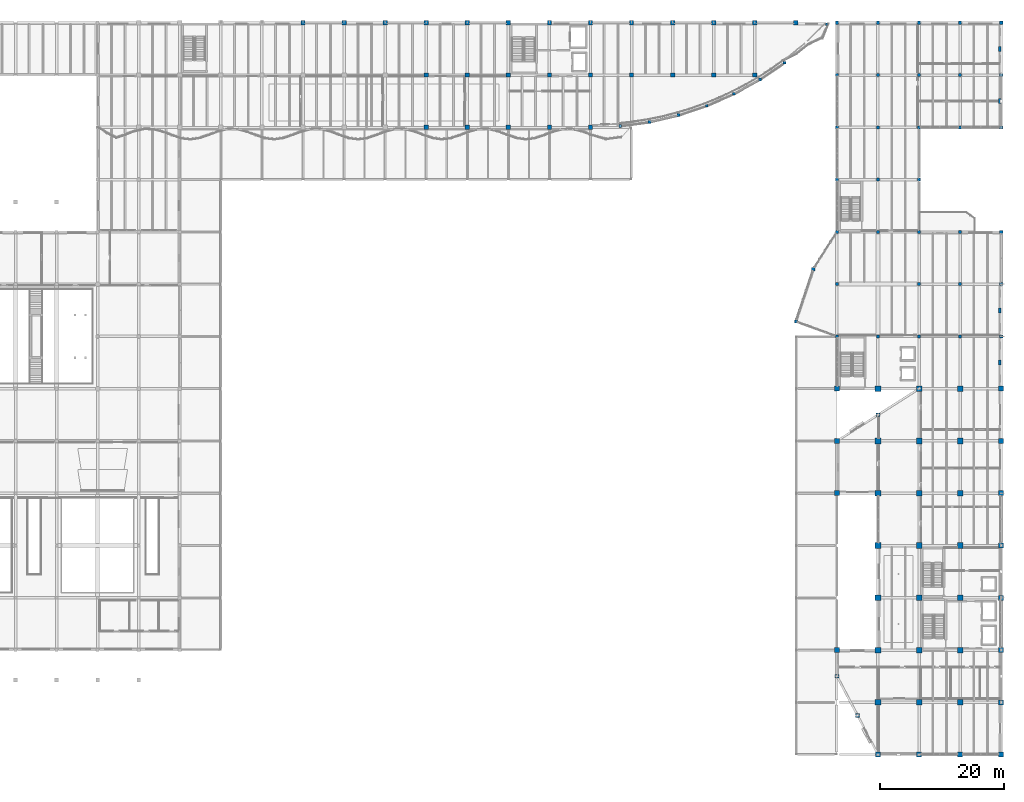
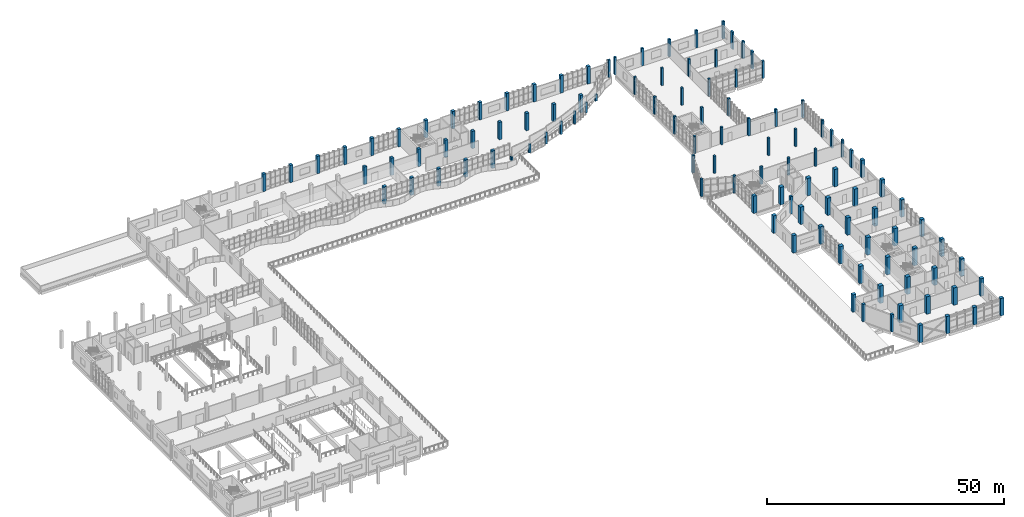
# One storey, part 2 of 83: 112 columns.
"""IFC4 building model written with IfcOpenShell, lengths in metres."""

from ifc_helpers import new_model, si_unit, direction, frame, origin, origin_2d, place, context, subcontext, project, spatial, rectangle, extrude, material, material_profile, profile_set, type_object, element, save


model = new_model("IFC4")

# Units and contexts
model_context = context("Model", 3, precision=1e-05, world=origin(), true_north=direction((0.0, 1.0)))
body_context = subcontext(model_context, "Body", "Model", "MODEL_VIEW")
ifc_project = project(units=[si_unit("LENGTHUNIT", "METRE"), si_unit("AREAUNIT", "SQUARE_METRE"), si_unit("VOLUMEUNIT", "CUBIC_METRE"), si_unit("PLANEANGLEUNIT", "RADIAN"), si_unit("MASSUNIT", "GRAM", prefix="KILO")], contexts=[model_context])

# Site, building, storey
site_placement = place(None, origin())
site = spatial("IfcSite", under=ifc_project, at=site_placement, CompositionType="ELEMENT")
building_placement = place(site_placement, origin())
building = spatial("IfcBuilding", under=site, at=building_placement, Name="Qaldarim Faculty of Natural and Applied Sciences", CompositionType="ELEMENT")
storey_placement = place(building_placement, frame((0.0, 0.0, 5.39990234375)))
storey = spatial("IfcBuildingStorey", under=building, at=storey_placement, Name="L01", CompositionType="ELEMENT", Elevation=5.39990234375)

# Columns
ifc_material_1 = material(Name="Concrete C40/50", Category="concrete")
ifc_material_profile_1 = material_profile(ifc_material_1, rectangle(XDim=0.449951171875, YDim=0.449951171875, at=origin_2d()), Name="RC-C450x450")
ifc_profile_set_1 = profile_set([ifc_material_profile_1], Name="Concrete C40/50")
column_type_1 = type_object("IfcColumnType", Name="Column-RC450x450", PredefinedType="COLUMN", material=ifc_profile_set_1)
column_1_placement = place(storey_placement, frame((150.14990234375, 117.375, 0.0), z_axis=(0.0, 0.0, 1.0), x_axis=(1.0, 0.0, 0.0)))
element("IfcColumn", 1, at=column_1_placement, inside=storey, type_object=column_type_1, Name="Special structural column V4-NE L01", PredefinedType="COLUMN", context=body_context, shape_type="SweptSolid", body=[
    extrude(rectangle(XDim=0.449951171875, YDim=0.449951171875, at=origin_2d()), origin(), (0.0, 0.0, 1.0), 4.5),
])
column_2_placement = place(storey_placement, frame((116.97509765625, 101.02001953125, 0.0), z_axis=(0.0, 0.0, 1.0), x_axis=(1.0, 0.0, 0.0)))
element("IfcColumn", 2, at=column_2_placement, inside=storey, type_object=column_type_1, Name="Arched portal upper column 02", PredefinedType="COLUMN", context=body_context, shape_type="SweptSolid", body=[
    extrude(rectangle(XDim=0.449951171875, YDim=0.449951171875, at=origin_2d()), origin(), (0.0, 0.0, 1.0), 1.025146484375),
])
column_3_placement = place(storey_placement, frame((121.705078125, 101.675048828125, 0.0), z_axis=(0.0, 0.0, 1.0), x_axis=(1.0, 0.0, 0.0)))
element("IfcColumn", 3, at=column_3_placement, inside=storey, type_object=column_type_1, Name="Arched portal upper column 04", PredefinedType="COLUMN", context=body_context, shape_type="SweptSolid", body=[
    extrude(rectangle(XDim=0.449951171875, YDim=0.449951171875, at=origin_2d()), origin(), (0.0, 0.0, 1.0), 2.260009765625),
])
column_4_placement = place(storey_placement, frame((126.360107421875, 102.764892578125, 0.0), z_axis=(0.0, 0.0, 1.0), x_axis=(1.0, 0.0, 0.0)))
element("IfcColumn", 4, at=column_4_placement, inside=storey, type_object=column_type_1, Name="Arched portal upper column 06", PredefinedType="COLUMN", context=body_context, shape_type="SweptSolid", body=[
    extrude(rectangle(XDim=0.449951171875, YDim=0.449951171875, at=origin_2d()), origin(), (0.0, 0.0, 1.0), 3.050048828125),
])
column_5_placement = place(storey_placement, frame((130.889892578125, 104.27490234375, 0.0), z_axis=(0.0, 0.0, 1.0), x_axis=(1.0, 0.0, 0.0)))
element("IfcColumn", 5, at=column_5_placement, inside=storey, type_object=column_type_1, Name="Arched portal upper column 08", PredefinedType="COLUMN", context=body_context, shape_type="SweptSolid", body=[
    extrude(rectangle(XDim=0.449951171875, YDim=0.449951171875, at=origin_2d()), origin(), (0.0, 0.0, 1.0), 3.385009765625),
])
column_6_placement = place(storey_placement, frame((135.264892578125, 106.195068359375, 0.0), z_axis=(0.0, 0.0, 1.0), x_axis=(1.0, 0.0, 0.0)))
element("IfcColumn", 6, at=column_6_placement, inside=storey, type_object=column_type_1, Name="Arched portal upper column 10", PredefinedType="COLUMN", context=body_context, shape_type="SweptSolid", body=[
    extrude(rectangle(XDim=0.449951171875, YDim=0.449951171875, at=origin_2d()), origin(), (0.0, 0.0, 1.0), 3.275146484375),
])
column_7_placement = place(storey_placement, frame((139.445068359375, 108.510009765625, 0.0), z_axis=(0.0, 0.0, 1.0), x_axis=(1.0, 0.0, 0.0)))
element("IfcColumn", 7, at=column_7_placement, inside=storey, type_object=column_type_1, Name="Arched portal upper column 12", PredefinedType="COLUMN", context=body_context, shape_type="SweptSolid", body=[
    extrude(rectangle(XDim=0.449951171875, YDim=0.449951171875, at=origin_2d()), origin(), (0.0, 0.0, 1.0), 2.710205078125),
])
column_8_placement = place(storey_placement, frame((143.39501953125, 111.195068359375, 0.0), z_axis=(0.0, 0.0, 1.0), x_axis=(1.0, 0.0, 0.0)))
element("IfcColumn", 8, at=column_8_placement, inside=storey, type_object=column_type_1, Name="Arched portal upper column 14", PredefinedType="COLUMN", context=body_context, shape_type="SweptSolid", body=[
    extrude(rectangle(XDim=0.449951171875, YDim=0.449951171875, at=origin_2d()), origin(), (0.0, 0.0, 1.0), 1.7001953125),
])
ifc_material_2 = material(Name="Concrete C50/60", Category="concrete")
ifc_material_profile_2 = material_profile(ifc_material_2, rectangle(XDim=0.5, YDim=0.5, at=origin_2d()), Name="RC-C500x500")
ifc_profile_set_2 = profile_set([ifc_material_profile_2], Name="Concrete C50/60")
column_type_2 = type_object("IfcColumnType", Name="Column-RC500x500", PredefinedType="COLUMN", material=ifc_profile_set_2)
for number, where, z_axis, x_axis, name in (
    (9, (151.800048828125, 67.199951171875, 0.0), (0.0, 0.0, 1.0), (1.0, 0.0, 0.0), "Column X24/Y09 L01"),
    (10, (151.800048828125, 75.60009765625, 0.0), (0.0, 0.0, 1.0), (1.0, 0.0, 0.0), "Column X24/Y10 L01"),
    (11, (151.800048828125, 84.0, 0.0), (0.0, 0.0, 1.0), (1.0, 0.0, 0.0), "Column X24/Y11 L01"),
    (12, (151.800048828125, 92.39990234375, 0.0), (0.0, 0.0, 1.0), (1.0, 0.0, 0.0), "Column X24/Y12 L01"),
    (13, (151.800048828125, 100.800048828125, 0.0), (0.0, 0.0, 1.0), (1.0, 0.0, 0.0), "Column X24/Y13 L01"),
    (14, (151.800048828125, 109.199951171875, 0.0), (0.0, 0.0, 1.0), (1.0, 0.0, 0.0), "Column X24/Y14 L01"),
    (15, (151.800048828125, 117.60009765625, 0.0), (0.0, 0.0, 1.0), (1.0, 0.0, 0.0), "Column X24/Y15 L01"),
    (16, (158.39990234375, 67.199951171875, 0.0), (0.0, 0.0, 1.0), (1.0, 0.0, 0.0), "Column X25/Y09 L01"),
    (17, (158.39990234375, 84.0, 0.0), (0.0, 0.0, 1.0), (1.0, 0.0, 0.0), "Column X25/Y11 L01"),
    (18, (158.39990234375, 92.39990234375, 0.0), (0.0, 0.0, 1.0), (1.0, 0.0, 0.0), "Column X25/Y12 L01"),
    (19, (158.39990234375, 100.800048828125, 0.0), (0.0, 0.0, 1.0), (1.0, 0.0, 0.0), "Column X25/Y13 L01"),
    (20, (158.39990234375, 109.199951171875, 0.0), (0.0, 0.0, 1.0), (1.0, 0.0, 0.0), "Column X25/Y14 L01"),
    (21, (158.39990234375, 117.60009765625, 0.0), (0.0, 0.0, 1.0), (1.0, 0.0, 0.0), "Column X25/Y15 L01"),
    (22, (165.0, 67.199951171875, 0.0), (0.0, 0.0, 1.0), (1.0, 0.0, 0.0), "Column X26/Y09 L01"),
    (23, (165.0, 75.60009765625, 0.0), (0.0, 0.0, 1.0), (1.0, 0.0, 0.0), "Column X26/Y10 L01"),
    (24, (165.0, 84.0, 0.0), (0.0, 0.0, 1.0), (1.0, 0.0, 0.0), "Column X26/Y11 L01"),
    (25, (165.0, 92.39990234375, 0.0), (0.0, 0.0, 1.0), (1.0, 0.0, 0.0), "Column X26/Y12 L01"),
    (26, (165.0, 100.800048828125, 0.0), (0.0, 0.0, 1.0), (1.0, 0.0, 0.0), "Column X26/Y13 L01"),
    (27, (165.0, 109.199951171875, 0.0), (0.0, 0.0, 1.0), (1.0, 0.0, 0.0), "Column X26/Y14 L01"),
    (28, (165.0, 117.60009765625, 0.0), (0.0, 0.0, 1.0), (1.0, 0.0, 0.0), "Column X26/Y15 L01"),
    (29, (171.60009765625, 67.199951171875, 0.0), (0.0, 0.0, 1.0), (1.0, 0.0, 0.0), "Column X27/Y09 L01"),
    (30, (171.60009765625, 75.60009765625, 0.0), (0.0, 0.0, 1.0), (1.0, 0.0, 0.0), "Column X27/Y10 L01"),
    (31, (171.60009765625, 84.0, 0.0), (0.0, 0.0, 1.0), (1.0, 0.0, 0.0), "Column X27/Y11 L01"),
    (32, (171.60009765625, 100.800048828125, 0.0), (0.0, 0.0, 1.0), (1.0, 0.0, 0.0), "Column X27/Y13 L01"),
    (33, (171.60009765625, 109.199951171875, 0.0), (0.0, 0.0, 1.0), (1.0, 0.0, 0.0), "Column X27/Y14 L01"),
    (34, (171.60009765625, 117.60009765625, 0.0), (0.0, 0.0, 1.0), (1.0, 0.0, 0.0), "Column X27/Y15 L01"),
    (35, (178.199951171875, 67.199951171875, 0.0), (0.0, 0.0, 1.0), (1.0, 0.0, 0.0), "Column X28/Y09 L01"),
    (36, (178.199951171875, 75.60009765625, 0.0), (0.0, 0.0, 1.0), (1.0, 0.0, 0.0), "Column X28/Y10 L01"),
    (37, (178.199951171875, 84.0, 0.0), (0.0, 0.0, 1.0), (1.0, 0.0, 0.0), "Column X28/Y11 L01"),
    (38, (178.199951171875, 100.800048828125, 0.0), (0.0, 0.0, 1.0), (1.0, 0.0, 0.0), "Column X28/Y13 L01"),
    (39, (178.199951171875, 109.199951171875, 0.0), (0.0, 0.0, 1.0), (1.0, 0.0, 0.0), "Column X28/Y14 L01"),
    (40, (178.199951171875, 117.60009765625, 0.0), (0.0, 0.0, 1.0), (1.0, 0.0, 0.0), "Column X28/Y15 L01"),
    (41, (145.199951171875, 69.60009765625, 0.0), (0.0, 0.0, 1.0), (1.0, 0.0, 0.0), "Special structural column V3-PRW-S L01"),
    (42, (148.0, 78.0, 0.0), (0.0, 0.0, 1.0), (1.0, 0.0, 0.0), "Special structural column V3-PRW-N L01"),
):
    element("IfcColumn", number, at=place(storey_placement, frame(where, z_axis=z_axis, x_axis=x_axis)), inside=storey, type_object=column_type_2, Name=name, PredefinedType="COLUMN", context=body_context, shape_type="SweptSolid", body=[
        extrude(rectangle(XDim=0.5, YDim=0.5, at=origin_2d()), origin(), (0.0, 0.0, 1.0), 4.5),
    ])
ifc_material_profile_3 = material_profile(ifc_material_2, rectangle(XDim=0.60009765625, YDim=0.60009765625, at=origin_2d()), Name="RC-C600x600")
ifc_profile_set_3 = profile_set([ifc_material_profile_3], Name="Concrete C50/60")
column_type_3 = type_object("IfcColumnType", Name="Column-RC600x600", PredefinedType="COLUMN", material=ifc_profile_set_3)
for number, where, z_axis, x_axis, name in (
    (43, (151.800048828125, 12.60009765625, 0.0), (0.0, 0.0, 1.0), (1.0, 0.0, 0.0), "Special structural column V5-SW1 L01"),
    (44, (155.10009765625, 6.300048828125, 0.0), (0.0, 0.0, 1.0), (1.0, 0.0, 0.0), "Special structural column V5-SW2 L01"),
    (45, (158.39990234375, 54.60009765625, 0.0), (0.0, 0.0, 1.0), (1.0, 0.0, 0.0), "Special structural column V5-NW6 L01"),
):
    element("IfcColumn", number, at=place(storey_placement, frame(where, z_axis=z_axis, x_axis=x_axis)), inside=storey, type_object=column_type_3, Name=name, PredefinedType="COLUMN", context=body_context, shape_type="SweptSolid", body=[
        extrude(rectangle(XDim=0.60009765625, YDim=0.60009765625, at=origin_2d()), origin(), (0.0, 0.0, 1.0), 4.5),
    ])
ifc_material_profile_4 = material_profile(ifc_material_2, rectangle(XDim=0.699951171875, YDim=0.699951171875, at=origin_2d()), Name="RC-C700x700")
ifc_profile_set_4 = profile_set([ifc_material_profile_4], Name="Concrete C50/60")
column_type_4 = type_object("IfcColumnType", Name="Column-RC700x700", PredefinedType="COLUMN", material=ifc_profile_set_4)
for number, where, z_axis, x_axis, name in (
    (46, (66.0, 117.60009765625, 0.0), (0.0, 0.0, 1.0), (1.0, 0.0, 0.0), "Column X11/Y15 L01"),
    (47, (72.60009765625, 117.60009765625, 0.0), (0.0, 0.0, 1.0), (1.0, 0.0, 0.0), "Column X12/Y15 L01"),
    (48, (79.199951171875, 117.60009765625, 0.0), (0.0, 0.0, 1.0), (1.0, 0.0, 0.0), "Column X13/Y15 L01"),
    (49, (85.800048828125, 100.800048828125, 0.0), (0.0, 0.0, 1.0), (1.0, 0.0, 0.0), "Column X14/Y13 L01"),
    (50, (85.800048828125, 109.199951171875, 0.0), (0.0, 0.0, 1.0), (1.0, 0.0, 0.0), "Column X14/Y14 L01"),
    (51, (85.800048828125, 117.60009765625, 0.0), (0.0, 0.0, 1.0), (1.0, 0.0, 0.0), "Column X14/Y15 L01"),
    (52, (92.39990234375, 100.800048828125, 0.0), (0.0, 0.0, 1.0), (1.0, 0.0, 0.0), "Column X15/Y13 L01"),
    (53, (92.39990234375, 109.199951171875, 0.0), (0.0, 0.0, 1.0), (1.0, 0.0, 0.0), "Column X15/Y14 L01"),
    (54, (92.39990234375, 117.60009765625, 0.0), (0.0, 0.0, 1.0), (1.0, 0.0, 0.0), "Column X15/Y15 L01"),
    (55, (99.0, 100.800048828125, 0.0), (0.0, 0.0, 1.0), (1.0, 0.0, 0.0), "Column X16/Y13 L01"),
    (56, (99.0, 109.199951171875, 0.0), (0.0, 0.0, 1.0), (1.0, 0.0, 0.0), "Column X16/Y14 L01"),
    (57, (99.0, 117.60009765625, 0.0), (0.0, 0.0, 1.0), (1.0, 0.0, 0.0), "Column X16/Y15 L01"),
    (58, (105.60009765625, 100.800048828125, 0.0), (0.0, 0.0, 1.0), (1.0, 0.0, 0.0), "Column X17/Y13 L01"),
    (59, (105.60009765625, 109.199951171875, 0.0), (0.0, 0.0, 1.0), (1.0, 0.0, 0.0), "Column X17/Y14 L01"),
    (60, (105.60009765625, 117.60009765625, 0.0), (0.0, 0.0, 1.0), (1.0, 0.0, 0.0), "Column X17/Y15 L01"),
    (61, (112.199951171875, 100.800048828125, 0.0), (0.0, 0.0, 1.0), (1.0, 0.0, 0.0), "Column X18/Y13 L01"),
    (62, (112.199951171875, 109.199951171875, 0.0), (0.0, 0.0, 1.0), (1.0, 0.0, 0.0), "Column X18/Y14 L01"),
    (63, (112.199951171875, 117.60009765625, 0.0), (0.0, 0.0, 1.0), (1.0, 0.0, 0.0), "Column X18/Y15 L01"),
    (64, (118.800048828125, 109.199951171875, 0.0), (0.0, 0.0, 1.0), (1.0, 0.0, 0.0), "Column X19/Y14 L01"),
    (65, (118.800048828125, 117.60009765625, 0.0), (0.0, 0.0, 1.0), (1.0, 0.0, 0.0), "Column X19/Y15 L01"),
    (66, (125.39990234375, 109.199951171875, 0.0), (0.0, 0.0, 1.0), (1.0, 0.0, 0.0), "Column X20/Y14 L01"),
    (67, (125.39990234375, 117.60009765625, 0.0), (0.0, 0.0, 1.0), (1.0, 0.0, 0.0), "Column X20/Y15 L01"),
    (68, (132.0, 109.199951171875, 0.0), (0.0, 0.0, 1.0), (1.0, 0.0, 0.0), "Column X21/Y14 L01"),
    (69, (132.0, 117.60009765625, 0.0), (0.0, 0.0, 1.0), (1.0, 0.0, 0.0), "Column X21/Y15 L01"),
    (70, (138.60009765625, 109.199951171875, 0.0), (0.0, 0.0, 1.0), (1.0, 0.0, 0.0), "Column X22/Y14 L01"),
    (71, (138.60009765625, 117.60009765625, 0.0), (0.0, 0.0, 1.0), (1.0, 0.0, 0.0), "Column X22/Y15 L01"),
    (72, (145.199951171875, 117.60009765625, 0.0), (0.0, 0.0, 1.0), (1.0, 0.0, 0.0), "Column X23/Y15 L01"),
):
    element("IfcColumn", number, at=place(storey_placement, frame(where, z_axis=z_axis, x_axis=x_axis)), inside=storey, type_object=column_type_4, Name=name, PredefinedType="COLUMN", context=body_context, shape_type="SweptSolid", body=[
        extrude(rectangle(XDim=0.699951171875, YDim=0.699951171875, at=origin_2d()), origin(), (0.0, 0.0, 1.0), 4.5),
    ])
ifc_material_profile_5 = material_profile(ifc_material_2, rectangle(XDim=0.800048828125, YDim=0.800048828125, at=origin_2d()), Name="RC-C800x800")
ifc_profile_set_5 = profile_set([ifc_material_profile_5], Name="Concrete C50/60")
column_type_5 = type_object("IfcColumnType", Name="Column-RC800x800", PredefinedType="COLUMN", material=ifc_profile_set_5)
for number, where, z_axis, x_axis, name in (
    (73, (151.800048828125, 16.800048828125, 0.0), (0.0, 0.0, 1.0), (1.0, 0.0, 0.0), "Column X24/Y03 L01"),
    (74, (151.800048828125, 42.0, 0.0), (0.0, 0.0, 1.0), (1.0, 0.0, 0.0), "Column X24/Y06 L01"),
    (75, (151.800048828125, 50.39990234375, 0.0), (0.0, 0.0, 1.0), (1.0, 0.0, 0.0), "Column X24/Y07 L01"),
    (76, (151.800048828125, 58.800048828125, 0.0), (0.0, 0.0, 1.0), (1.0, 0.0, 0.0), "Column X24/Y08 L01"),
    (77, (158.39990234375, 0.0, 0.0), (0.0, 0.0, 1.0), (1.0, 0.0, 0.0), "Column X25/Y01 L01"),
    (78, (165.0, 0.0, 0.0), (0.0, 0.0, 1.0), (1.0, 0.0, 0.0), "Column X26/Y01 L01"),
    (79, (171.60009765625, 0.0, 0.0), (0.0, 0.0, 1.0), (1.0, 0.0, 0.0), "Column X27/Y01 L01"),
    (80, (178.199951171875, 0.0, 0.0), (0.0, 0.0, 1.0), (1.0, 0.0, 0.0), "Column X28/Y01 L01"),
    (81, (178.199951171875, 8.39990234375, 0.0), (0.0, 0.0, 1.0), (1.0, 0.0, 0.0), "Column X28/Y02 L01"),
    (82, (178.199951171875, 16.800048828125, 0.0), (0.0, 0.0, 1.0), (1.0, 0.0, 0.0), "Column X28/Y03 L01"),
    (83, (178.199951171875, 25.199951171875, 0.0), (0.0, 0.0, 1.0), (1.0, 0.0, 0.0), "Column X28/Y04 L01"),
    (84, (178.199951171875, 33.60009765625, 0.0), (0.0, 0.0, 1.0), (1.0, 0.0, 0.0), "Column X28/Y05 L01"),
    (85, (178.199951171875, 42.0, 0.0), (0.0, 0.0, 1.0), (1.0, 0.0, 0.0), "Column X28/Y06 L01"),
    (86, (178.199951171875, 50.39990234375, 0.0), (0.0, 0.0, 1.0), (1.0, 0.0, 0.0), "Column X28/Y07 L01"),
    (87, (178.199951171875, 58.800048828125, 0.0), (0.0, 0.0, 1.0), (1.0, 0.0, 0.0), "Column X28/Y08 L01"),
):
    element("IfcColumn", number, at=place(storey_placement, frame(where, z_axis=z_axis, x_axis=x_axis)), inside=storey, type_object=column_type_5, Name=name, PredefinedType="COLUMN", context=body_context, shape_type="SweptSolid", body=[
        extrude(rectangle(XDim=0.800048828125, YDim=0.800048828125, at=origin_2d()), origin(), (0.0, 0.0, 1.0), 4.5),
    ])
ifc_material_profile_6 = material_profile(ifc_material_2, rectangle(XDim=0.89990234375, YDim=0.89990234375, at=origin_2d()), Name="RC-C900x900")
ifc_profile_set_6 = profile_set([ifc_material_profile_6], Name="Concrete C50/60")
column_type_6 = type_object("IfcColumnType", Name="Column-RC900x900", PredefinedType="COLUMN", material=ifc_profile_set_6)
for number, where, z_axis, x_axis, name in (
    (88, (158.39990234375, 8.39990234375, 0.0), (0.0, 0.0, 1.0), (1.0, 0.0, 0.0), "Column X25/Y02 L01"),
    (89, (158.39990234375, 16.800048828125, 0.0), (0.0, 0.0, 1.0), (1.0, 0.0, 0.0), "Column X25/Y03 L01"),
    (90, (158.39990234375, 25.199951171875, 0.0), (0.0, 0.0, 1.0), (1.0, 0.0, 0.0), "Column X25/Y04 L01"),
    (91, (158.39990234375, 33.60009765625, 0.0), (0.0, 0.0, 1.0), (1.0, 0.0, 0.0), "Column X25/Y05 L01"),
    (92, (158.39990234375, 42.0, 0.0), (0.0, 0.0, 1.0), (1.0, 0.0, 0.0), "Column X25/Y06 L01"),
    (93, (158.39990234375, 50.39990234375, 0.0), (0.0, 0.0, 1.0), (1.0, 0.0, 0.0), "Column X25/Y07 L01"),
    (94, (158.39990234375, 58.800048828125, 0.0), (0.0, 0.0, 1.0), (1.0, 0.0, 0.0), "Column X25/Y08 L01"),
    (95, (165.0, 8.39990234375, 0.0), (0.0, 0.0, 1.0), (1.0, 0.0, 0.0), "Column X26/Y02 L01"),
    (96, (165.0, 16.800048828125, 0.0), (0.0, 0.0, 1.0), (1.0, 0.0, 0.0), "Column X26/Y03 L01"),
    (97, (165.0, 25.199951171875, 0.0), (0.0, 0.0, 1.0), (1.0, 0.0, 0.0), "Column X26/Y04 L01"),
    (98, (165.0, 33.60009765625, 0.0), (0.0, 0.0, 1.0), (1.0, 0.0, 0.0), "Column X26/Y05 L01"),
    (99, (165.0, 42.0, 0.0), (0.0, 0.0, 1.0), (1.0, 0.0, 0.0), "Column X26/Y06 L01"),
    (100, (165.0, 50.39990234375, 0.0), (0.0, 0.0, 1.0), (1.0, 0.0, 0.0), "Column X26/Y07 L01"),
    (101, (165.0, 58.800048828125, 0.0), (0.0, 0.0, 1.0), (1.0, 0.0, 0.0), "Column X26/Y08 L01"),
    (102, (171.60009765625, 8.39990234375, 0.0), (0.0, 0.0, 1.0), (1.0, 0.0, 0.0), "Column X27/Y02 L01"),
    (103, (171.60009765625, 16.800048828125, 0.0), (0.0, 0.0, 1.0), (1.0, 0.0, 0.0), "Column X27/Y03 L01"),
    (104, (171.60009765625, 25.199951171875, 0.0), (0.0, 0.0, 1.0), (1.0, 0.0, 0.0), "Column X27/Y04 L01"),
    (105, (171.60009765625, 33.60009765625, 0.0), (0.0, 0.0, 1.0), (1.0, 0.0, 0.0), "Column X27/Y05 L01"),
    (106, (171.60009765625, 42.0, 0.0), (0.0, 0.0, 1.0), (1.0, 0.0, 0.0), "Column X27/Y06 L01"),
    (107, (171.60009765625, 50.39990234375, 0.0), (0.0, 0.0, 1.0), (1.0, 0.0, 0.0), "Column X27/Y07 L01"),
    (108, (171.60009765625, 58.800048828125, 0.0), (0.0, 0.0, 1.0), (1.0, 0.0, 0.0), "Column X27/Y08 L01"),
):
    element("IfcColumn", number, at=place(storey_placement, frame(where, z_axis=z_axis, x_axis=x_axis)), inside=storey, type_object=column_type_6, Name=name, PredefinedType="COLUMN", context=body_context, shape_type="SweptSolid", body=[
        extrude(rectangle(XDim=0.89990234375, YDim=0.89990234375, at=origin_2d()), origin(), (0.0, 0.0, 1.0), 4.5),
    ])
ifc_material_profile_7 = material_profile(ifc_material_2, rectangle(XDim=0.449951171875, YDim=0.800048828125, at=origin_2d()), Name="RC-C450x800")
ifc_profile_set_7 = profile_set([ifc_material_profile_7], Name="Concrete C50/60")
column_type_7 = type_object("IfcColumnType", Name="Pilaster-RC450x800", PredefinedType="PILASTER", material=ifc_profile_set_7)
for number, where, z_axis, x_axis, name in (
    (109, (177.97509765625, 63.0, 0.0), (0.0, 0.0, 1.0), (1.0, 0.0, 0.0), "East facade pilaster L01 bay Y08"),
    (110, (177.97509765625, 71.39990234375, 0.0), (0.0, 0.0, 1.0), (1.0, 0.0, 0.0), "East facade pilaster L01 bay Y09"),
    (111, (177.97509765625, 105.0, 0.0), (0.0, 0.0, 1.0), (1.0, 0.0, 0.0), "East facade pilaster L01 bay Y13"),
    (112, (177.97509765625, 113.39990234375, 0.0), (0.0, 0.0, 1.0), (1.0, 0.0, 0.0), "East facade pilaster L01 bay Y14"),
):
    element("IfcColumn", number, at=place(storey_placement, frame(where, z_axis=z_axis, x_axis=x_axis)), inside=storey, type_object=column_type_7, Name=name, PredefinedType="PILASTER", context=body_context, shape_type="SweptSolid", body=[
        extrude(rectangle(XDim=0.449951171875, YDim=0.800048828125, at=origin_2d()), origin(), (0.0, 0.0, 1.0), 4.5),
    ])

save(model, "model.ifc")
